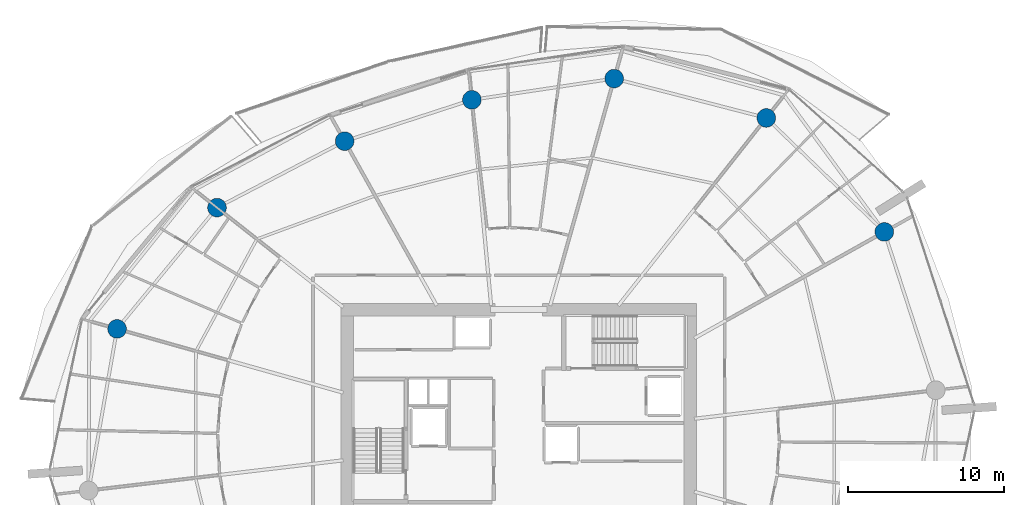
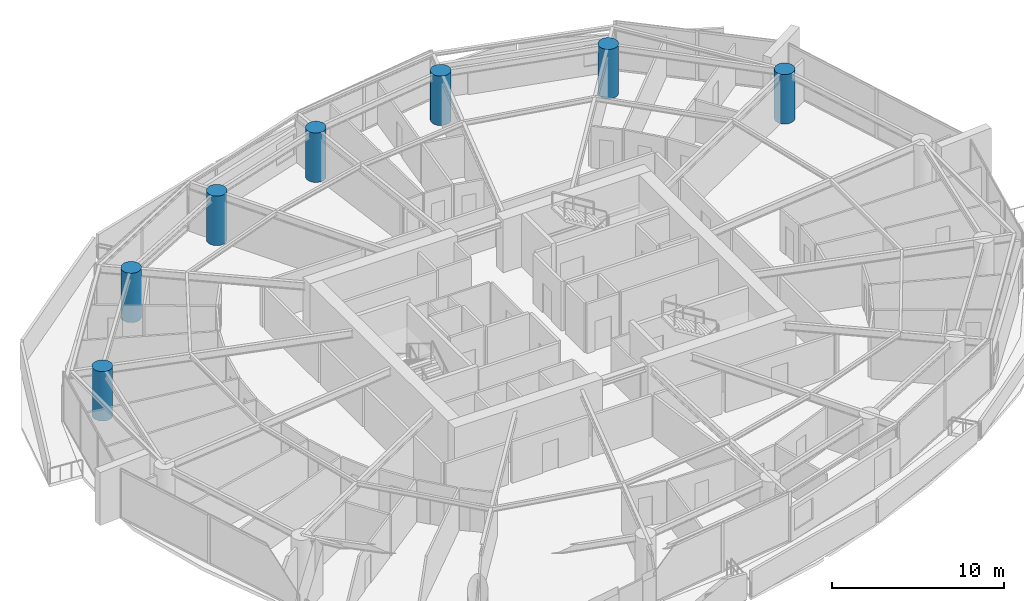
# One storey, part 4 of 23: 7 columns.
"""IFC4 building model written with IfcOpenShell, lengths in metres."""

import ifcopenshell
import ifcopenshell.guid

model = None  # the IFC model being written
_history = None  # IfcOwnerHistory: only IFC2X3 demands one
_inside = {}  # id of a spatial element -> (the spatial element, [elements in it])
_under = {}  # id of a project, library or spatial element -> (it, [spatial elements below it])
_declared = {}  # id of a project -> (the project, [libraries it declares])
_typed = {}  # id of a type object -> (the type object, [elements of that type])
_made_of = {}  # id of a material, layer set ... -> (it, [elements and type objects made of it])


def new_model(schema):
    """Start an empty IFC model of exactly this schema.

    Asked for "IFC4X3", IfcOpenShell would pick the latest addendum, in which some entities
    have other attributes; the version numbers below select the first issue.
    IFC2X3 requires an IfcOwnerHistory on every rooted entity: one is made here for all.
    """
    global model, _history
    if schema == "IFC4X3":
        model = ifcopenshell.file(schema_version=(4, 3, 0, 0))
    else:
        model = ifcopenshell.file(schema=schema)
    _inside.clear()
    _under.clear()
    _declared.clear()
    _typed.clear()
    _made_of.clear()
    _history = None
    if model.schema == "IFC2X3":
        org = make("IfcOrganization", Name="unknown")
        user = make(
            "IfcPersonAndOrganization",
            ThePerson=make("IfcPerson", FamilyName="unknown"),
            TheOrganization=org,
        )
        app = make(
            "IfcApplication",
            ApplicationDeveloper=org,
            Version="unknown",
            ApplicationFullName="unknown",
            ApplicationIdentifier="unknown",
        )
        _history = make(
            "IfcOwnerHistory",
            OwningUser=user,
            OwningApplication=app,
            ChangeAction="ADDED",
            CreationDate=0,
        )
    return model


def make(cls, **values):
    """One entity of the class cls with the attributes given. An attribute that is None is left unset."""
    return model.create_entity(
        cls, **{name: value for name, value in values.items() if value is not None}
    )


def rooted(cls, **values):
    """An entity with a GlobalId (a new one), such as an element, a storey or a relation."""
    return make(cls, GlobalId=ifcopenshell.guid.new(), OwnerHistory=_history, **values)


def si_unit(unit_type, name, prefix=None):
    """IfcSIUnit, for example si_unit("LENGTHUNIT", "METRE", prefix="MILLI")."""
    return make("IfcSIUnit", UnitType=unit_type, Prefix=prefix, Name=name)


def assignment(units):
    """IfcUnitAssignment: the units of a project."""
    return None if units is None else make("IfcUnitAssignment", Units=units)


def point(xyz):
    """IfcCartesianPoint."""
    return None if xyz is None else make("IfcCartesianPoint", Coordinates=xyz)


def direction(xyz):
    """IfcDirection."""
    return None if xyz is None else make("IfcDirection", DirectionRatios=xyz)


def frame(location, z_axis=None, x_axis=None):
    """IfcAxis2Placement3D, a coordinate frame: its origin and axes. An axis left out is left unset."""
    return make(
        "IfcAxis2Placement3D",
        Location=point(location),
        Axis=direction(z_axis),
        RefDirection=direction(x_axis),
    )


def frame_2d(location, x_axis=None):
    """IfcAxis2Placement2D, a coordinate frame in the plane: its origin and x axis."""
    return make(
        "IfcAxis2Placement2D", Location=point(location), RefDirection=direction(x_axis)
    )


def origin():
    """The frame at (0, 0, 0) with its axes left unset."""
    return frame((0.0, 0.0, 0.0))


def origin_2d():
    """The frame at (0, 0) in the plane with its x axis left unset."""
    return frame_2d((0.0, 0.0))


def place(relative_to, where):
    """IfcLocalPlacement: puts the frame where relative to a parent placement (None: the world)."""
    return make(
        "IfcLocalPlacement", PlacementRelTo=relative_to, RelativePlacement=where
    )


def context(
    kind, dimensions, precision=None, world=None, true_north=None, identifier=None
):
    """IfcGeometricRepresentationContext, for example the 3D "Model" context."""
    return make(
        "IfcGeometricRepresentationContext",
        ContextIdentifier=identifier,
        ContextType=kind,
        CoordinateSpaceDimension=dimensions,
        Precision=precision,
        WorldCoordinateSystem=world,
        TrueNorth=true_north,
    )


def subcontext(parent, identifier, kind, view, scale=None):
    """IfcGeometricRepresentationSubContext, for example "Body" below "Model"."""
    return make(
        "IfcGeometricRepresentationSubContext",
        ContextIdentifier=identifier,
        ContextType=kind,
        ParentContext=parent,
        TargetScale=scale,
        TargetView=view,
    )


def project(units=None, contexts=None):
    """IfcProject with its units and contexts."""
    return rooted(
        "IfcProject",
        Name="project",
        RepresentationContexts=contexts,
        UnitsInContext=assignment(units),
    )


def spatial(cls, under=None, at=None, **own):
    """A site, building, storey or space (cls), placed at a placement, below another one or the project."""
    s = rooted(cls, ObjectPlacement=at, **own)
    if under is not None:
        _under.setdefault(under.id(), (under, []))[1].append(s)
    return s


def profile(cls, at=None, kind="AREA", **sizes):
    """A parametric profile (cls). Its sizes go by their IFC names, for example OverallWidth=200.0."""
    return make(cls, ProfileType=kind, Position=at, **sizes)


def circle(**sizes):
    """IfcCircleProfileDef."""
    return profile("IfcCircleProfileDef", **sizes)


def extrude(swept, where, along, depth):
    """IfcExtrudedAreaSolid: the profile swept, set in the frame where, extruded along a direction by depth."""
    return make(
        "IfcExtrudedAreaSolid",
        SweptArea=swept,
        Position=where,
        ExtrudedDirection=direction(along),
        Depth=depth,
    )


def shape(context_of_items, identifier, shape_type, items):
    """IfcShapeRepresentation: the items that make up one representation, for example the "Body"."""
    return make(
        "IfcShapeRepresentation",
        ContextOfItems=context_of_items,
        RepresentationIdentifier=identifier,
        RepresentationType=shape_type,
        Items=items,
    )


def material(Name=None, Category=None):
    """IfcMaterial."""
    return make("IfcMaterial", Name=Name, Category=Category)


def material_profile(
    of_material, cross_section, Name=None, Category=None, Priority=None
):
    """IfcMaterialProfile: a cross section and its material."""
    return make(
        "IfcMaterialProfile",
        Name=Name,
        Material=of_material,
        Profile=cross_section,
        Priority=Priority,
        Category=Category,
    )


def profile_set(profiles, Name=None, composite=None):
    """IfcMaterialProfileSet."""
    return make(
        "IfcMaterialProfileSet",
        Name=Name,
        MaterialProfiles=profiles,
        CompositeProfile=composite,
    )


def made_of(thing, what):
    """Note that an element or type object is made of a material, layer set ...; save() writes the relation."""
    if what is not None:
        _made_of.setdefault(what.id(), (what, []))[1].append(thing)
    return thing


def type_object(cls, material=None, **own):
    """A type object (cls), such as IfcWallType, which elements share."""
    return made_of(rooted(cls, **own), material)


def element(
    cls,
    number,
    at=None,
    inside=None,
    cuts=None,
    type_object=None,
    material=None,
    context=None,
    identifier="Body",
    shape_type=None,
    held_by="IfcProductDefinitionShape",
    body=None,
    shapes=None,
    **own,
):
    """One element of the class cls, such as IfcWall. Its Tag is "e" and its number.

    at: its placement. inside: the storey or other place that contains it. cuts: it is an
    opening in that element (IfcRelVoidsElement). A single representation is given by context,
    identifier, shape_type and body (its items); several are given by shapes. held_by: the class
    of the entity that holds the representations. save() writes the other relations.
    """
    e = rooted(cls, Tag="e%d" % number, ObjectPlacement=at, **own)
    if body is not None:
        shapes = [shape(context, identifier, shape_type, body)]
    if shapes is not None:
        e.Representation = make(held_by, Representations=shapes)
    if inside is not None:
        _inside.setdefault(inside.id(), (inside, []))[1].append(e)
    if cuts is not None:
        rooted(
            "IfcRelVoidsElement", RelatingBuildingElement=cuts, RelatedOpeningElement=e
        )
    if type_object is not None:
        _typed.setdefault(type_object.id(), (type_object, []))[1].append(e)
    return made_of(e, material)


def aggregate(whole, parts):
    """IfcRelAggregates: a whole, such as a stair, and the parts it consists of."""
    return rooted("IfcRelAggregates", RelatingObject=whole, RelatedObjects=parts)


def save(model, path):
    """Write the relations noted so far, then the file.

    IfcRelAggregates (storeys below a building ...), IfcRelContainedInSpatialStructure (elements
    in a storey), IfcRelDefinesByType, IfcRelAssociatesMaterial and IfcRelDeclares: one each for
    every whole, place, type object, material and project.
    """
    for whole, parts in _under.values():
        aggregate(whole, parts)
    for where, things in _inside.values():
        rooted(
            "IfcRelContainedInSpatialStructure",
            RelatedElements=things,
            RelatingStructure=where,
        )
    for kind, things in _typed.values():
        rooted("IfcRelDefinesByType", RelatedObjects=things, RelatingType=kind)
    for what, things in _made_of.values():
        rooted("IfcRelAssociatesMaterial", RelatedObjects=things, RelatingMaterial=what)
    for by, libraries in _declared.values():
        rooted("IfcRelDeclares", RelatingContext=by, RelatedDefinitions=libraries)
    model.write(path)


model = new_model("IFC4")

# Units and contexts
model_context = context("Model", 3, precision=1e-05, world=origin(), true_north=direction((0.0, 1.0)))
body_context = subcontext(model_context, "Body", "Model", "MODEL_VIEW")
ifc_project = project(units=[si_unit("LENGTHUNIT", "METRE"), si_unit("AREAUNIT", "SQUARE_METRE"), si_unit("VOLUMEUNIT", "CUBIC_METRE"), si_unit("PLANEANGLEUNIT", "RADIAN"), si_unit("MASSUNIT", "GRAM", prefix="KILO")], contexts=[model_context])

# Site, building, storey
site_placement = place(None, origin())
site = spatial("IfcSite", under=ifc_project, at=site_placement, CompositionType="ELEMENT")
building_placement = place(site_placement, origin())
building = spatial("IfcBuilding", under=site, at=building_placement, Name="Kazma Halo Residences", CompositionType="ELEMENT")
storey_placement = place(building_placement, frame((0.0, 0.0, 78.89990234375)))
storey = spatial("IfcBuildingStorey", under=building, at=storey_placement, Name="L19", CompositionType="ELEMENT", Elevation=78.89990234375)

# Columns
ifc_material = material(Name="Concrete C80/95", Category="concrete")
ifc_material_profile = material_profile(ifc_material, circle(Radius=0.60009765625, at=origin_2d()), Name="CIRC1200")
ifc_profile_set = profile_set([ifc_material_profile], Name="Concrete C80/95")
column_type = type_object("IfcColumnType", Name="COL-PERIM-1200", PredefinedType="COLUMN", material=ifc_profile_set)
for number, where, z_axis, x_axis, name in (
    (1, (71.9033203125, 55.386474609375, 0.0), (0.0, 0.0, 1.0), (1.0, 0.0, 0.0), "L19 perimeter ring column P01"),
    (2, (64.323486328125, 62.706298828125, 0.0), (0.0, 0.0, 1.0), (1.0, 0.0, 0.0), "L19 perimeter ring column P02"),
    (3, (54.552734375, 65.234130859375, 0.0), (0.0, 0.0, 1.0), (1.0, 0.0, 0.0), "L19 perimeter ring column P03"),
    (4, (45.41162109375, 63.869140625, 0.0), (0.0, 0.0, 1.0), (1.0, 0.0, 0.0), "L19 perimeter ring column P04"),
    (5, (37.23974609375, 61.2138671875, 0.0), (0.0, 0.0, 1.0), (1.0, 0.0, 0.0), "L19 perimeter ring column P05"),
    (6, (29.0419921875, 56.9453125, 0.0), (0.0, 0.0, 1.0), (1.0, 0.0, 0.0), "L19 perimeter ring column P06"),
    (7, (22.623291015625, 49.156982421875, 0.0), (0.0, 0.0, 1.0), (1.0, 0.0, 0.0), "L19 perimeter ring column P07"),
):
    element("IfcColumn", number, at=place(storey_placement, frame(where, z_axis=z_axis, x_axis=x_axis)), inside=storey, type_object=column_type, Name=name, PredefinedType="COLUMN", context=body_context, shape_type="SweptSolid", body=[
        extrude(circle(Radius=0.60009765625, at=origin_2d()), origin(), (0.0, 0.0, 1.0), 3.5),
    ])

save(model, "model.ifc")
